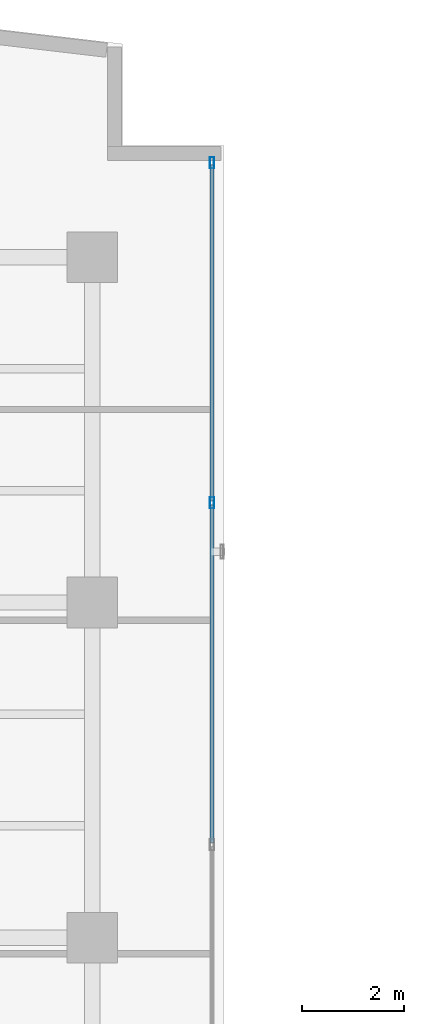
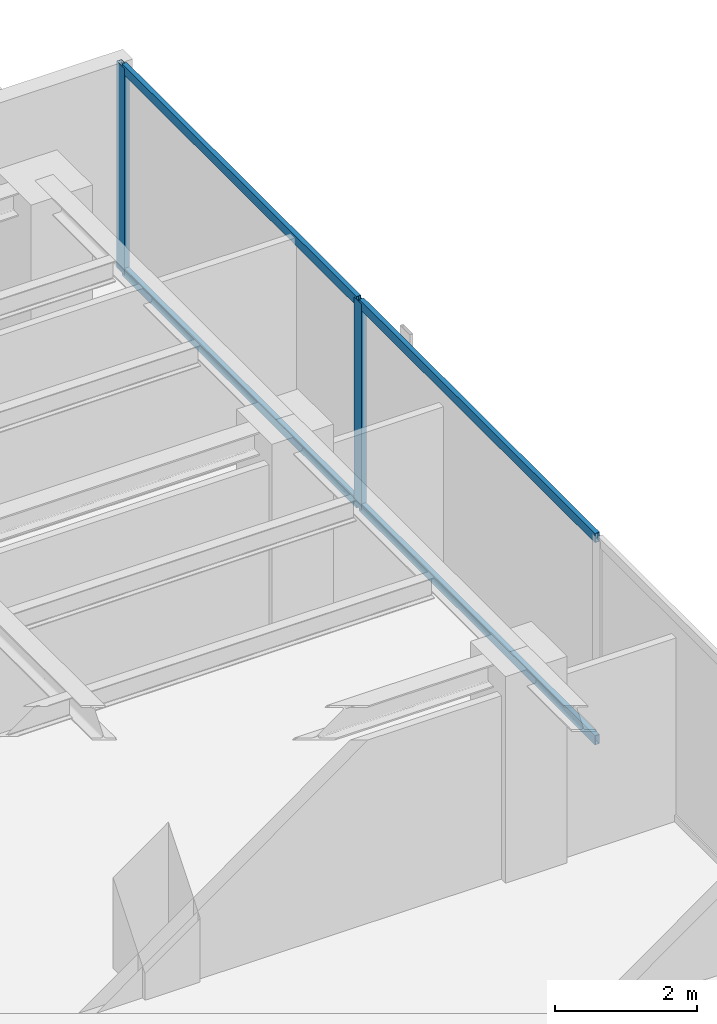
# One storey, part 15 of 23: 6 members, 1 element without a shape of its own.
"""IFC4 building model written with IfcOpenShell, lengths in metres."""

from ifc_helpers import new_model, si_unit, direction, frame, origin, origin_with_axes, origin_2d, place, context, subcontext, project, spatial, hollow_rectangle, extrude, source, transform, mapped, material, layer, layer_set, material_profile, profile_set, type_object, element, aggregate, save


model = new_model("IFC4")

# Units and contexts
model_context = context("Model", 3, precision=1e-05, world=origin(), true_north=direction((0.0, 1.0)))
body_context = subcontext(model_context, "Body", "Model", "MODEL_VIEW")
ifc_project = project(units=[si_unit("LENGTHUNIT", "METRE"), si_unit("AREAUNIT", "SQUARE_METRE"), si_unit("VOLUMEUNIT", "CUBIC_METRE"), si_unit("PLANEANGLEUNIT", "RADIAN"), si_unit("MASSUNIT", "GRAM", prefix="KILO")], contexts=[model_context])

# Site, building, storey
site_placement = place(None, origin())
site = spatial("IfcSite", under=ifc_project, at=site_placement, CompositionType="ELEMENT")
building_placement = place(site_placement, origin())
building = spatial("IfcBuilding", under=site, at=building_placement, Name="Kolvaren Waterfront Exchange", CompositionType="ELEMENT")
storey_placement = place(building_placement, frame((0.0, 0.0, 231.10009765625)))
storey = spatial("IfcBuildingStorey", under=building, at=storey_placement, Name="L59", CompositionType="ELEMENT", Elevation=231.10009765625)

# Curtain wall, members
ifc_material_1 = material(Name="Anodised bronze aluminium 6063-T6", Category="aluminium")
ifc_layer = layer(ifc_material_1, 0.219970703125, Name="Anodised bronze aluminium 6063-T6")
ifc_layer_set = layer_set([ifc_layer], Name="Anodised bronze aluminium 6063-T6")
curtain_wall_type = type_object("IfcCurtainWallType", Name="ARC-CW-SYS1", PredefinedType="USERDEFINED", material=ifc_layer_set)
curtain_wall_placement = place(storey_placement, origin())
curtain_wall = element("IfcCurtainWall", 1, at=curtain_wall_placement, inside=storey, type_object=curtain_wall_type, Name="L59 stick curtain wall CW1 (CW-L59-NE)", ObjectType="STICK CURTAIN WALL", PredefinedType="USERDEFINED")
ifc_material_2 = material(Name="Anodised aluminium 6063-T6", Category="aluminium")
ifc_material_profile_1 = material_profile(ifc_material_2, hollow_rectangle(XDim=0.080078125, YDim=0.219970703125, WallThickness=0.0048828125, at=origin_2d()), Name="ALU-MUL-220x80x5")
ifc_profile_set_1 = profile_set([ifc_material_profile_1], Name="Anodised aluminium 6063-T6")
member_type_1 = type_object("IfcMemberType", Name="ARC-CWM-220", PredefinedType="MULLION", material=ifc_profile_set_1)
shared_shape_1 = source(origin_with_axes(), body_context, "Body", "SweptSolid", [
    extrude(hollow_rectangle(XDim=0.080078125, YDim=0.219970703125, WallThickness=0.0048828125, at=origin_2d()), origin(), (0.0, 0.0, 1.0), 3.559814453125),
])
member_1_placement = place(storey_placement, frame((21.159912109375, 39.763427734375, 0.0), z_axis=(0.0, 0.0, 1.0), x_axis=(-1.0, 0.0, 0.0)))
member_1 = element("IfcMember", 2, at=member_1_placement, type_object=member_type_1, Name="CW1 mullion 3", PredefinedType="MULLION", context=body_context, shape_type="MappedRepresentation", body=[
    mapped(shared_shape_1, transform((0.0, 0.0, 0.0), x_axis=(1.0, 0.0, 0.0), y_axis=(0.0, 1.0, 0.0), z_axis=(0.0, 0.0, 1.0), scale=1.0)),
])
member_2_placement = place(storey_placement, frame((21.159912109375, 46.4599609375, 0.0), z_axis=(0.0, 0.0, 1.0), x_axis=(-1.0, 0.0, 0.0)))
member_2 = element("IfcMember", 3, at=member_2_placement, type_object=member_type_1, Name="CW1 mullion 4", PredefinedType="MULLION", context=body_context, shape_type="MappedRepresentation", body=[
    mapped(shared_shape_1, transform((0.0, 0.0, 0.0), x_axis=(1.0, 0.0, 0.0), y_axis=(0.0, 1.0, 0.0), z_axis=(0.0, 0.0, 1.0), scale=1.0)),
])
ifc_material_profile_2 = material_profile(ifc_material_2, hollow_rectangle(XDim=0.074951171875, YDim=0.159912109375, WallThickness=0.00439453125, at=origin_2d()), Name="ALU-TRN-160x75x4.5")
ifc_profile_set_2 = profile_set([ifc_material_profile_2], Name="Anodised aluminium 6063-T6")
member_type_2 = type_object("IfcMemberType", Name="ARC-CWT-160", PredefinedType="USERDEFINED", material=ifc_profile_set_2)
shared_shape_2 = source(origin_with_axes(), body_context, "Body", "SweptSolid", [
    extrude(hollow_rectangle(XDim=0.074951171875, YDim=0.159912109375, WallThickness=0.00439453125, at=origin_2d()), origin(), (0.0, 0.0, 1.0), 6.65673828125),
])
member_3_placement = place(storey_placement, frame((21.159912109375, 33.066650390625, 0.037353515625), z_axis=(0.0, 1.0, 0.0), x_axis=(-1.0, 0.0, 0.0)))
member_3 = element("IfcMember", 4, at=member_3_placement, type_object=member_type_2, Name="CW1 transom 2.1", ObjectType="TRANSOM", PredefinedType="USERDEFINED", context=body_context, shape_type="MappedRepresentation", body=[
    mapped(shared_shape_2, transform((0.0, 0.0, 0.0), x_axis=(1.0, 0.0, 0.0), y_axis=(0.0, 1.0, 0.0), z_axis=(0.0, 0.0, 1.0), scale=1.0)),
])
member_4_placement = place(storey_placement, frame((21.159912109375, 33.066650390625, 3.5224609375), z_axis=(0.0, 1.0, 0.0), x_axis=(-1.0, 0.0, 0.0)))
member_4 = element("IfcMember", 5, at=member_4_placement, type_object=member_type_2, Name="CW1 transom 2.2", ObjectType="TRANSOM", PredefinedType="USERDEFINED", context=body_context, shape_type="MappedRepresentation", body=[
    mapped(shared_shape_2, transform((0.0, 0.0, 0.0), x_axis=(1.0, 0.0, 0.0), y_axis=(0.0, 1.0, 0.0), z_axis=(0.0, 0.0, 1.0), scale=1.0)),
])
shared_shape_3 = source(origin_with_axes(), body_context, "Body", "SweptSolid", [
    extrude(hollow_rectangle(XDim=0.074951171875, YDim=0.159912109375, WallThickness=0.00439453125, at=origin_2d()), origin(), (0.0, 0.0, 1.0), 6.61669921875),
])
member_5_placement = place(storey_placement, frame((21.159912109375, 39.80322265625, 0.037353515625), z_axis=(0.0, 1.0, 0.0), x_axis=(-1.0, 0.0, 0.0)))
member_5 = element("IfcMember", 6, at=member_5_placement, type_object=member_type_2, Name="CW1 transom 3.1", ObjectType="TRANSOM", PredefinedType="USERDEFINED", context=body_context, shape_type="MappedRepresentation", body=[
    mapped(shared_shape_3, transform((0.0, 0.0, 0.0), x_axis=(1.0, 0.0, 0.0), y_axis=(0.0, 1.0, 0.0), z_axis=(0.0, 0.0, 1.0), scale=1.0)),
])
member_6_placement = place(storey_placement, frame((21.159912109375, 39.80322265625, 3.5224609375), z_axis=(0.0, 1.0, 0.0), x_axis=(-1.0, 0.0, 0.0)))
member_6 = element("IfcMember", 7, at=member_6_placement, type_object=member_type_2, Name="CW1 transom 3.2", ObjectType="TRANSOM", PredefinedType="USERDEFINED", context=body_context, shape_type="MappedRepresentation", body=[
    mapped(shared_shape_3, transform((0.0, 0.0, 0.0), x_axis=(1.0, 0.0, 0.0), y_axis=(0.0, 1.0, 0.0), z_axis=(0.0, 0.0, 1.0), scale=1.0)),
])
aggregate(curtain_wall, [member_1, member_2, member_3, member_4, member_5, member_6])

save(model, "model.ifc")
